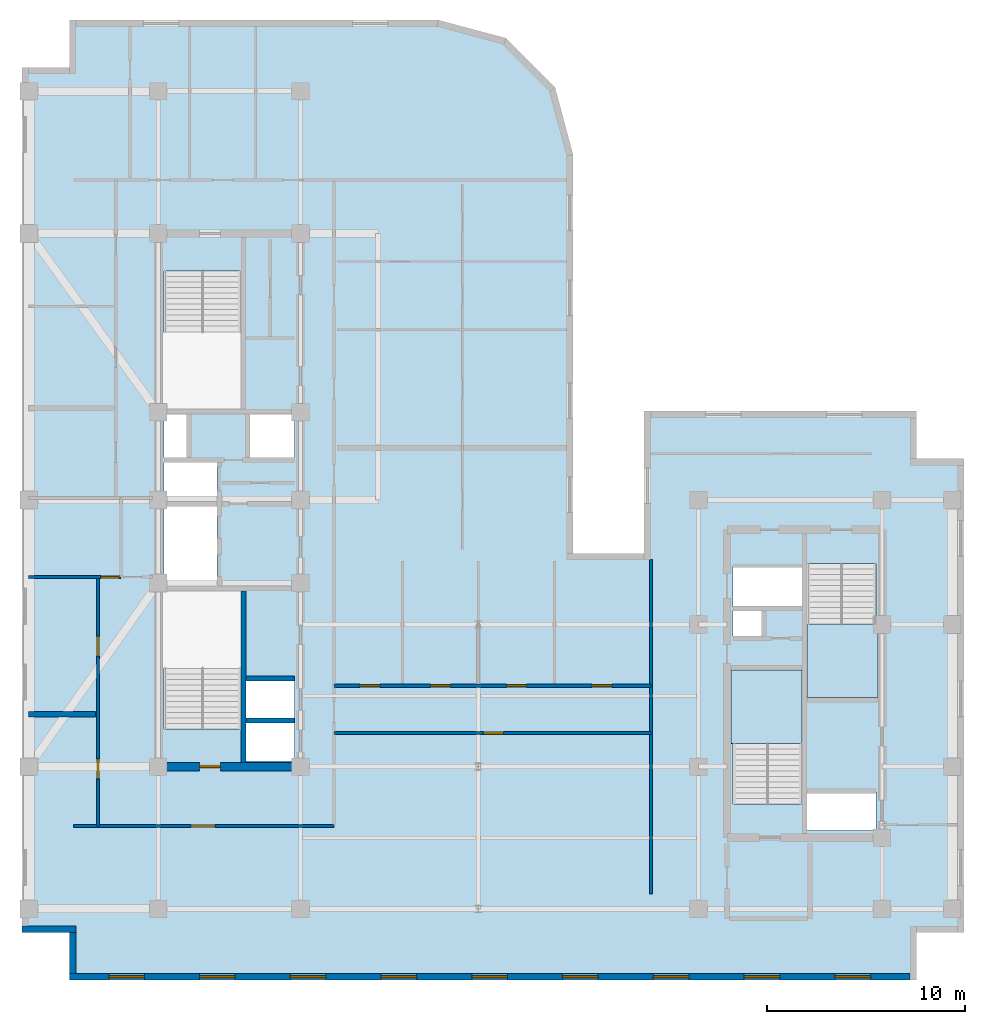
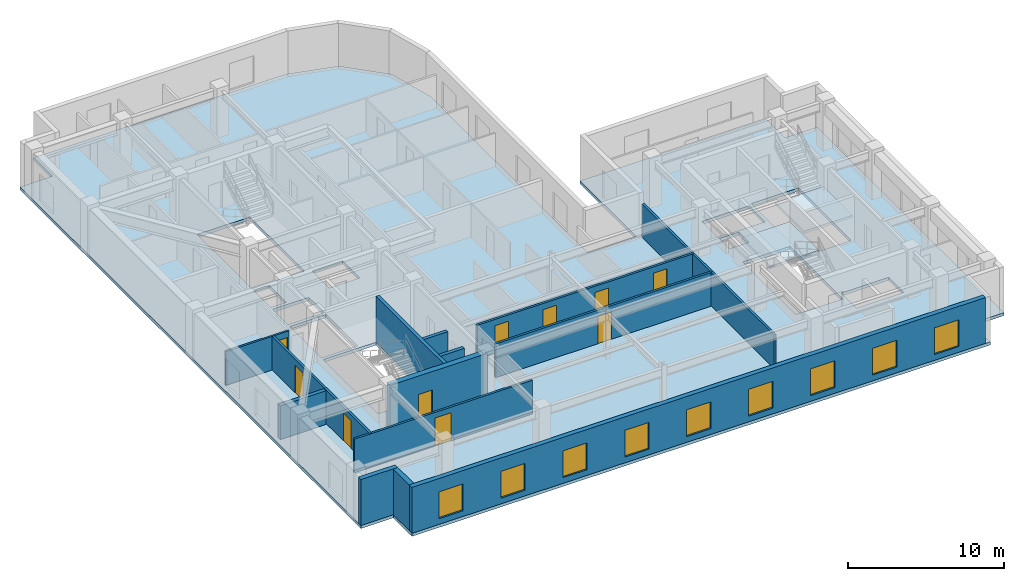
# One storey, part 3 of 10: 14 walls, 10 doors, 9 windows, 3 slabs, 19 openings, 2 elements without a shape of their own.
"""IFC4 building model written with IfcOpenShell, lengths in metres."""

from ifc_helpers import new_model, entity, si_unit, converted_unit, direction, frame, origin_with_axes, origin_2d_with_axis, place, context, subcontext, project, spatial, polyline, rectangle, outline, extrude, material, layer, layer_set, type_object, element, fill, aggregate, save


model = new_model("IFC4")

# Units and contexts
model_context = context("Model", 3, precision=1e-05, world=origin_with_axes(), true_north=direction((0.0, 1.0)))
body_context = subcontext(model_context, "Body", "Model", "MODEL_VIEW")
ifc_project = project(units=[si_unit("LENGTHUNIT", "METRE"), si_unit("AREAUNIT", "SQUARE_METRE"), si_unit("VOLUMEUNIT", "CUBIC_METRE"), converted_unit("PLANEANGLEUNIT", "DEGREE", entity("IfcPlaneAngleMeasure", 0.017453292519943295), si_unit("PLANEANGLEUNIT", "RADIAN"), dimensions=[0, 0, 0, 0, 0, 0, 0]), si_unit("MASSUNIT", "GRAM", prefix="KILO"), si_unit("THERMODYNAMICTEMPERATUREUNIT", "KELVIN")], contexts=[model_context])

# Site, building, storey
site_placement = place(None, origin_with_axes())
site = spatial("IfcSite", under=ifc_project, at=site_placement, CompositionType="ELEMENT")
building_placement = place(site_placement, origin_with_axes())
building = spatial("IfcBuilding", under=site, at=building_placement, Name="Varnlund Millrace Tower", CompositionType="ELEMENT")
storey_placement = place(building_placement, frame((0.0, 0.0, 244.2), z_axis=(0.0, 0.0, 1.0), x_axis=(1.0, 0.0, 0.0)))
storey = spatial("IfcBuildingStorey", under=building, at=storey_placement, Name="L60", CompositionType="ELEMENT", Elevation=244.2)

# Slab
ifc_material_1 = material(Name="Concrete C60/75", Category="concrete")
ifc_layer_1 = layer(ifc_material_1, 0.24, Name="Concrete C60/75")
ifc_layer_set_1 = layer_set([ifc_layer_1], Name="Concrete C60/75")
slab_type_1 = type_object("IfcSlabType", Name="Type-Deck-Plate-Typical-240", PredefinedType="FLOOR", material=ifc_layer_set_1)
slab_1_placement = place(storey_placement, frame((0.0, 0.0, -0.24), z_axis=(0.0, 0.0, 1.0), x_axis=(1.0, 0.0, 0.0)))
element("IfcSlab", 1, at=slab_1_placement, inside=storey, type_object=slab_type_1, Name="Type-Deck-Plate-Typical-240", PredefinedType="FLOOR", context=body_context, shape_type="SweptSolid", body=[
    extrude(outline(polyline([(32.4, 21.6), (32.4, 41.8), (31.489, 45.2), (29.0, 47.689), (25.6, 48.6), (6.9, 48.6), (6.9, 46.2), (4.5, 46.2), (4.5, 2.4), (6.9, 2.4), (6.9, 0.0), (49.8, 0.0), (49.8, 2.4), (52.2, 2.4), (52.2, 26.4), (49.8, 26.4), (49.8, 28.8), (36.0, 28.8), (36.0, 21.6), (32.4, 21.6)]), holes=[polyline([(18.3, 13.1), (18.3, 11.1), (15.84, 11.1), (15.84, 13.1), (18.3, 13.1)]), polyline([(15.6, 12.715), (11.7, 12.715), (11.7, 19.7), (15.6, 19.7), (15.6, 12.715)]), polyline([(11.7, 19.94), (11.7, 23.98), (14.38, 23.98), (14.38, 19.94), (11.7, 19.94)]), polyline([(14.38, 24.24), (11.7, 24.24), (11.7, 26.2), (14.38, 26.2), (14.38, 24.24)]), polyline([(12.84, 26.46), (11.7, 26.46), (11.7, 28.65), (12.84, 28.65), (12.84, 26.46)]), polyline([(15.6, 28.9), (11.7, 28.9), (11.7, 35.885), (15.6, 35.885), (15.6, 28.9)]), polyline([(47.75, 9.52), (47.75, 7.58), (44.25, 7.58), (44.25, 9.52), (47.75, 9.52)]), polyline([(44.0, 8.915), (40.5, 8.915), (40.5, 15.7), (44.0, 15.7), (44.0, 8.915)]), polyline([(18.3, 13.16), (15.84, 13.16), (15.84, 15.24), (18.3, 15.24), (18.3, 13.16)]), polyline([(47.75, 14.3), (44.25, 14.3), (44.25, 21.085), (47.75, 21.085), (47.75, 14.3)]), polyline([(41.95, 17.42), (40.5, 17.42), (40.5, 18.72), (41.95, 18.72), (41.95, 17.42)]), polyline([(44.0, 18.88), (40.5, 18.88), (40.5, 20.94), (44.0, 20.94), (44.0, 18.88)]), polyline([(18.3, 26.46), (16.04, 26.46), (16.04, 28.65), (18.3, 28.65), (18.3, 26.46)])]), origin_with_axes(), (0.0, 0.0, 1.0), 0.24),
])

# Stair, slab
ifc_material_2 = material(Name="Concrete C50/60", Category="concrete")
stair_type = type_object("IfcStairType", Name="Type-Stair-Dogleg-165-390", PredefinedType="HALF_TURN_STAIR", material=ifc_material_2)
stair_1_placement = place(storey_placement, origin_with_axes())
stair_1 = element("IfcStair", 2, at=stair_1_placement, inside=storey, type_object=stair_type, Name="Type-Stair-Dogleg-165-390", PredefinedType="HALF_TURN_STAIR")
ifc_layer_2 = layer(ifc_material_2, 0.2, Name="Concrete C50/60")
ifc_layer_set_2 = layer_set([ifc_layer_2], Name="Concrete C50/60")
slab_type_2 = type_object("IfcSlabType", Name="Type-StairLanding-200", PredefinedType="LANDING", material=ifc_layer_set_2)
slab_2_placement = place(storey_placement, frame((0.0, 0.0, 1.75), z_axis=(0.0, 0.0, 1.0), x_axis=(1.0, 0.0, 0.0)))
slab_2 = element("IfcSlab", 3, at=slab_2_placement, type_object=slab_type_2, Name="ST-B1 landing 1", PredefinedType="LANDING", context=body_context, shape_type="SweptSolid", body=[
    extrude(outline(polyline([(44.0, 11.98), (44.0, 15.7), (40.41, 15.7), (40.41, 11.98), (44.0, 11.98)])), origin_with_axes(), (0.0, 0.0, 1.0), 0.2),
])
aggregate(stair_1, [slab_2])

stair_2_placement = place(storey_placement, origin_with_axes())
stair_2 = element("IfcStair", 4, at=stair_2_placement, inside=storey, type_object=stair_type, Name="Type-Stair-Dogleg-165-390", PredefinedType="HALF_TURN_STAIR")
slab_3_placement = place(storey_placement, frame((0.0, 0.0, 1.75), z_axis=(0.0, 0.0, 1.0), x_axis=(1.0, 0.0, 0.0)))
slab_3 = element("IfcSlab", 5, at=slab_3_placement, type_object=slab_type_2, Name="ST-B2 landing 1", PredefinedType="LANDING", context=body_context, shape_type="SweptSolid", body=[
    extrude(outline(polyline([(44.25, 18.02), (44.25, 14.3), (47.84, 14.3), (47.84, 18.02), (44.25, 18.02)])), origin_with_axes(), (0.0, 0.0, 1.0), 0.2),
])
aggregate(stair_2, [slab_3])

# Wall, opening, door
ifc_layer_3 = layer(ifc_material_1, 0.42, Name="Concrete C60/75")
ifc_layer_set_3 = layer_set([ifc_layer_3], Name="Concrete C60/75")
wall_type_1 = type_object("IfcWallType", Name="Type-CoreWall-Shear-420-C60", PredefinedType="SHEAR", material=ifc_layer_set_3)
wall_1_placement = place(storey_placement, frame((11.4, 10.8, 0.0), z_axis=(0.0, 0.0, 1.0), x_axis=(1.0, 0.0, 0.0)))
wall_1 = element("IfcWall", 6, at=wall_1_placement, inside=storey, type_object=wall_type_1, Name="Type-CoreWall-Shear-420-C60", PredefinedType="SHEAR", context=body_context, shape_type="SweptSolid", body=[
    extrude(outline(polyline([(0.0, -0.21), (7.2, -0.21), (7.2, 0.21), (0.0, 0.21), (0.0, -0.21)])), origin_with_axes(), (0.0, 0.0, 1.0), 3.6),
])
opening_1_placement = place(wall_1_placement, frame((2.625, 0.0, 0.0), z_axis=(0.0, 0.0, 1.0), x_axis=(1.0, 0.0, 0.0)))
opening_1 = element("IfcOpeningElement", 7, at=opening_1_placement, cuts=wall_1, Name="Opening L60:DR-STA1", PredefinedType="OPENING", context=body_context, shape_type="SweptSolid", body=[
    extrude(rectangle(XDim=1.05, YDim=0.44, at=origin_2d_with_axis()), origin_with_axes(), (0.0, 0.0, 1.0), 2.15),
])
ifc_material_3 = material(Name="Fire-rated hollow steel door", Category="steel")
door_type_1 = type_object("IfcDoorType", Name="Type-FireDoor-Stair-1050X2150", OperationType="NOTDEFINED", PredefinedType="DOOR", material=ifc_material_3)
door_1_placement = place(wall_1_placement, frame((2.625, 0.0, 0.0), z_axis=(0.0, 0.0, 1.0), x_axis=(1.0, 0.0, 0.0)))
door_1 = element("IfcDoor", 8, at=door_1_placement, inside=storey, type_object=door_type_1, Name="Type-FireDoor-Stair-1050X2150", OperationType="SINGLE_SWING_LEFT", OverallHeight=2.15, OverallWidth=1.05, PredefinedType="DOOR", context=body_context, shape_type="SweptSolid", body=[
    extrude(rectangle(XDim=1.05, YDim=0.09, at=origin_2d_with_axis()), origin_with_axes(), (0.0, 0.0, 1.0), 2.15),
])
fill(opening_1, door_1)

# Wall, openings, windows
ifc_material_4 = material(Name="Precast concrete C50/60", Category="concrete")
ifc_layer_4 = layer(ifc_material_4, 0.34, Name="Precast concrete C50/60")
ifc_layer_set_4 = layer_set([ifc_layer_4], Name="Precast concrete C50/60")
wall_type_2 = type_object("IfcWallType", Name="Type-ExtWall-Precast-Upper-340", PredefinedType="SOLIDWALL", material=ifc_layer_set_4)
wall_2_placement = place(storey_placement, frame((49.46, 0.17, 0.0), z_axis=(0.0, 0.0, 1.0), x_axis=(-1.0, 0.0, 0.0)))
wall_2 = element("IfcWall", 9, at=wall_2_placement, inside=storey, type_object=wall_type_2, Name="Type-ExtWall-Precast-Upper-340", PredefinedType="SOLIDWALL", context=body_context, shape_type="SweptSolid", body=[
    extrude(outline(polyline([(0.0, -0.17), (42.56, -0.17), (42.56, 0.17), (0.0, 0.17), (0.0, -0.17)])), origin_with_axes(), (0.0, 0.0, 1.0), 3.6),
])
opening_2_placement = place(wall_2_placement, frame((2.898, 0.0, 0.45), z_axis=(0.0, 0.0, 1.0), x_axis=(1.0, 0.0, 0.0)))
opening_2 = element("IfcOpeningElement", 10, at=opening_2_placement, cuts=wall_2, Name="Opening L60:WN-07", PredefinedType="OPENING", context=body_context, shape_type="SweptSolid", body=[
    extrude(rectangle(XDim=1.8, YDim=0.36, at=origin_2d_with_axis()), origin_with_axes(), (0.0, 0.0, 1.0), 2.1),
])
opening_3_placement = place(wall_2_placement, frame((7.493, 0.0, 0.45), z_axis=(0.0, 0.0, 1.0), x_axis=(1.0, 0.0, 0.0)))
opening_3 = element("IfcOpeningElement", 11, at=opening_3_placement, cuts=wall_2, Name="Opening L60:WN-08", PredefinedType="OPENING", context=body_context, shape_type="SweptSolid", body=[
    extrude(rectangle(XDim=1.8, YDim=0.36, at=origin_2d_with_axis()), origin_with_axes(), (0.0, 0.0, 1.0), 2.1),
])
opening_4_placement = place(wall_2_placement, frame((12.089, 0.0, 0.45), z_axis=(0.0, 0.0, 1.0), x_axis=(1.0, 0.0, 0.0)))
opening_4 = element("IfcOpeningElement", 12, at=opening_4_placement, cuts=wall_2, Name="Opening L60:WN-09", PredefinedType="OPENING", context=body_context, shape_type="SweptSolid", body=[
    extrude(rectangle(XDim=1.8, YDim=0.36, at=origin_2d_with_axis()), origin_with_axes(), (0.0, 0.0, 1.0), 2.1),
])
opening_5_placement = place(wall_2_placement, frame((16.684, 0.0, 0.45), z_axis=(0.0, 0.0, 1.0), x_axis=(1.0, 0.0, 0.0)))
opening_5 = element("IfcOpeningElement", 13, at=opening_5_placement, cuts=wall_2, Name="Opening L60:WN-10", PredefinedType="OPENING", context=body_context, shape_type="SweptSolid", body=[
    extrude(rectangle(XDim=1.8, YDim=0.36, at=origin_2d_with_axis()), origin_with_axes(), (0.0, 0.0, 1.0), 2.1),
])
opening_6_placement = place(wall_2_placement, frame((21.28, 0.0, 0.45), z_axis=(0.0, 0.0, 1.0), x_axis=(1.0, 0.0, 0.0)))
opening_6 = element("IfcOpeningElement", 14, at=opening_6_placement, cuts=wall_2, Name="Opening L60:WN-11", PredefinedType="OPENING", context=body_context, shape_type="SweptSolid", body=[
    extrude(rectangle(XDim=1.8, YDim=0.36, at=origin_2d_with_axis()), origin_with_axes(), (0.0, 0.0, 1.0), 2.1),
])
opening_7_placement = place(wall_2_placement, frame((25.876, 0.0, 0.45), z_axis=(0.0, 0.0, 1.0), x_axis=(1.0, 0.0, 0.0)))
opening_7 = element("IfcOpeningElement", 15, at=opening_7_placement, cuts=wall_2, Name="Opening L60:WN-12", PredefinedType="OPENING", context=body_context, shape_type="SweptSolid", body=[
    extrude(rectangle(XDim=1.8, YDim=0.36, at=origin_2d_with_axis()), origin_with_axes(), (0.0, 0.0, 1.0), 2.1),
])
opening_8_placement = place(wall_2_placement, frame((30.471, 0.0, 0.45), z_axis=(0.0, 0.0, 1.0), x_axis=(1.0, 0.0, 0.0)))
opening_8 = element("IfcOpeningElement", 16, at=opening_8_placement, cuts=wall_2, Name="Opening L60:WN-13", PredefinedType="OPENING", context=body_context, shape_type="SweptSolid", body=[
    extrude(rectangle(XDim=1.8, YDim=0.36, at=origin_2d_with_axis()), origin_with_axes(), (0.0, 0.0, 1.0), 2.1),
])
opening_9_placement = place(wall_2_placement, frame((35.067, 0.0, 0.45), z_axis=(0.0, 0.0, 1.0), x_axis=(1.0, 0.0, 0.0)))
opening_9 = element("IfcOpeningElement", 17, at=opening_9_placement, cuts=wall_2, Name="Opening L60:WN-14", PredefinedType="OPENING", context=body_context, shape_type="SweptSolid", body=[
    extrude(rectangle(XDim=1.8, YDim=0.36, at=origin_2d_with_axis()), origin_with_axes(), (0.0, 0.0, 1.0), 2.1),
])
opening_10_placement = place(wall_2_placement, frame((39.662, 0.0, 0.45), z_axis=(0.0, 0.0, 1.0), x_axis=(1.0, 0.0, 0.0)))
opening_10 = element("IfcOpeningElement", 18, at=opening_10_placement, cuts=wall_2, Name="Opening L60:WN-15", PredefinedType="OPENING", context=body_context, shape_type="SweptSolid", body=[
    extrude(rectangle(XDim=1.8, YDim=0.36, at=origin_2d_with_axis()), origin_with_axes(), (0.0, 0.0, 1.0), 2.1),
])
ifc_material_5 = material(Name="Argon low-e triple glazing in thermally broken bronze frame", Category="glass")
window_type = type_object("IfcWindowType", Name="Type-Window-Punched-1800X2100", PartitioningType="SINGLE_PANEL", PredefinedType="WINDOW", material=ifc_material_5)
window_1_placement = place(wall_2_placement, frame((2.898, 0.0, 0.45), z_axis=(0.0, 0.0, 1.0), x_axis=(1.0, 0.0, 0.0)))
window_1 = element("IfcWindow", 19, at=window_1_placement, inside=storey, type_object=window_type, Name="Type-Window-Punched-1800X2100", OverallHeight=2.1, OverallWidth=1.8, PredefinedType="WINDOW", context=body_context, shape_type="SweptSolid", body=[
    extrude(rectangle(XDim=1.8, YDim=0.09, at=origin_2d_with_axis()), origin_with_axes(), (0.0, 0.0, 1.0), 2.1),
])
fill(opening_2, window_1)
window_2_placement = place(wall_2_placement, frame((7.493, 0.0, 0.45), z_axis=(0.0, 0.0, 1.0), x_axis=(1.0, 0.0, 0.0)))
window_2 = element("IfcWindow", 20, at=window_2_placement, inside=storey, type_object=window_type, Name="Type-Window-Punched-1800X2100", OverallHeight=2.1, OverallWidth=1.8, PredefinedType="WINDOW", context=body_context, shape_type="SweptSolid", body=[
    extrude(rectangle(XDim=1.8, YDim=0.09, at=origin_2d_with_axis()), origin_with_axes(), (0.0, 0.0, 1.0), 2.1),
])
fill(opening_3, window_2)
window_3_placement = place(wall_2_placement, frame((12.089, 0.0, 0.45), z_axis=(0.0, 0.0, 1.0), x_axis=(1.0, 0.0, 0.0)))
window_3 = element("IfcWindow", 21, at=window_3_placement, inside=storey, type_object=window_type, Name="Type-Window-Punched-1800X2100", OverallHeight=2.1, OverallWidth=1.8, PredefinedType="WINDOW", context=body_context, shape_type="SweptSolid", body=[
    extrude(rectangle(XDim=1.8, YDim=0.09, at=origin_2d_with_axis()), origin_with_axes(), (0.0, 0.0, 1.0), 2.1),
])
fill(opening_4, window_3)
window_4_placement = place(wall_2_placement, frame((16.684, 0.0, 0.45), z_axis=(0.0, 0.0, 1.0), x_axis=(1.0, 0.0, 0.0)))
window_4 = element("IfcWindow", 22, at=window_4_placement, inside=storey, type_object=window_type, Name="Type-Window-Punched-1800X2100", OverallHeight=2.1, OverallWidth=1.8, PredefinedType="WINDOW", context=body_context, shape_type="SweptSolid", body=[
    extrude(rectangle(XDim=1.8, YDim=0.09, at=origin_2d_with_axis()), origin_with_axes(), (0.0, 0.0, 1.0), 2.1),
])
fill(opening_5, window_4)
window_5_placement = place(wall_2_placement, frame((21.28, 0.0, 0.45), z_axis=(0.0, 0.0, 1.0), x_axis=(1.0, 0.0, 0.0)))
window_5 = element("IfcWindow", 23, at=window_5_placement, inside=storey, type_object=window_type, Name="Type-Window-Punched-1800X2100", OverallHeight=2.1, OverallWidth=1.8, PredefinedType="WINDOW", context=body_context, shape_type="SweptSolid", body=[
    extrude(rectangle(XDim=1.8, YDim=0.09, at=origin_2d_with_axis()), origin_with_axes(), (0.0, 0.0, 1.0), 2.1),
])
fill(opening_6, window_5)
window_6_placement = place(wall_2_placement, frame((25.876, 0.0, 0.45), z_axis=(0.0, 0.0, 1.0), x_axis=(1.0, 0.0, 0.0)))
window_6 = element("IfcWindow", 24, at=window_6_placement, inside=storey, type_object=window_type, Name="Type-Window-Punched-1800X2100", OverallHeight=2.1, OverallWidth=1.8, PredefinedType="WINDOW", context=body_context, shape_type="SweptSolid", body=[
    extrude(rectangle(XDim=1.8, YDim=0.09, at=origin_2d_with_axis()), origin_with_axes(), (0.0, 0.0, 1.0), 2.1),
])
fill(opening_7, window_6)
window_7_placement = place(wall_2_placement, frame((30.471, 0.0, 0.45), z_axis=(0.0, 0.0, 1.0), x_axis=(1.0, 0.0, 0.0)))
window_7 = element("IfcWindow", 25, at=window_7_placement, inside=storey, type_object=window_type, Name="Type-Window-Punched-1800X2100", OverallHeight=2.1, OverallWidth=1.8, PredefinedType="WINDOW", context=body_context, shape_type="SweptSolid", body=[
    extrude(rectangle(XDim=1.8, YDim=0.09, at=origin_2d_with_axis()), origin_with_axes(), (0.0, 0.0, 1.0), 2.1),
])
fill(opening_8, window_7)
window_8_placement = place(wall_2_placement, frame((35.067, 0.0, 0.45), z_axis=(0.0, 0.0, 1.0), x_axis=(1.0, 0.0, 0.0)))
window_8 = element("IfcWindow", 26, at=window_8_placement, inside=storey, type_object=window_type, Name="Type-Window-Punched-1800X2100", OverallHeight=2.1, OverallWidth=1.8, PredefinedType="WINDOW", context=body_context, shape_type="SweptSolid", body=[
    extrude(rectangle(XDim=1.8, YDim=0.09, at=origin_2d_with_axis()), origin_with_axes(), (0.0, 0.0, 1.0), 2.1),
])
fill(opening_9, window_8)
window_9_placement = place(wall_2_placement, frame((39.662, 0.0, 0.45), z_axis=(0.0, 0.0, 1.0), x_axis=(1.0, 0.0, 0.0)))
window_9 = element("IfcWindow", 27, at=window_9_placement, inside=storey, type_object=window_type, Name="Type-Window-Punched-1800X2100", OverallHeight=2.1, OverallWidth=1.8, PredefinedType="WINDOW", context=body_context, shape_type="SweptSolid", body=[
    extrude(rectangle(XDim=1.8, YDim=0.09, at=origin_2d_with_axis()), origin_with_axes(), (0.0, 0.0, 1.0), 2.1),
])
fill(opening_10, window_9)

# Walls
wall_3_placement = place(storey_placement, frame((7.07, 0.34, 0.0), z_axis=(0.0, 0.0, 1.0), x_axis=(0.0, 1.0, 0.0)))
element("IfcWall", 28, at=wall_3_placement, inside=storey, type_object=wall_type_2, Name="Type-ExtWall-Precast-Upper-340", PredefinedType="SOLIDWALL", context=body_context, shape_type="SweptSolid", body=[
    extrude(outline(polyline([(0.0, -0.17), (2.06, -0.17), (2.06, 0.17), (0.0, 0.17), (0.0, -0.17)])), origin_with_axes(), (0.0, 0.0, 1.0), 3.6),
])
wall_4_placement = place(storey_placement, frame((7.24, 2.57, 0.0), z_axis=(0.0, 0.0, 1.0), x_axis=(-1.0, 0.0, 0.0)))
element("IfcWall", 29, at=wall_4_placement, inside=storey, type_object=wall_type_2, Name="Type-ExtWall-Precast-Upper-340", PredefinedType="SOLIDWALL", context=body_context, shape_type="SweptSolid", body=[
    extrude(outline(polyline([(0.0, -0.17), (2.74, -0.17), (2.74, 0.17), (0.0, 0.17), (0.0, -0.17)])), origin_with_axes(), (0.0, 0.0, 1.0), 3.6),
])
ifc_material_6 = material(Name="Double-stud STC-60 conference acoustic partition", Category="gypsum")
ifc_layer_5 = layer(ifc_material_6, 0.28, Name="Double-stud STC-60 conference acoustic partition")
ifc_layer_set_5 = layer_set([ifc_layer_5], Name="Double-stud STC-60 conference acoustic partition")
wall_type_3 = type_object("IfcWallType", Name="Type-Partition-Acoustic-280", PredefinedType="PARTITIONING", material=ifc_layer_set_5)
wall_5_placement = place(storey_placement, frame((4.835, 13.465, 0.0), z_axis=(0.0, 0.0, 1.0), x_axis=(1.0, 0.0, 0.0)))
element("IfcWall", 30, at=wall_5_placement, inside=storey, type_object=wall_type_3, Name="Type-Partition-Acoustic-280", PredefinedType="PARTITIONING", context=body_context, shape_type="SweptSolid", body=[
    extrude(outline(polyline([(0.0, -0.14), (3.395, -0.14), (3.395, 0.14), (0.0, 0.14), (0.0, -0.14)])), origin_with_axes(), (0.0, 0.0, 1.0), 2.64),
])

# Wall, opening, door
ifc_material_7 = material(Name="Fire-rated gypsum board on cold-formed steel framing", Category="steel")
ifc_layer_6 = layer(ifc_material_7, 0.16, Name="Fire-rated gypsum board on cold-formed steel framing")
ifc_layer_set_6 = layer_set([ifc_layer_6], Name="Fire-rated gypsum board on cold-formed steel framing")
wall_type_4 = type_object("IfcWallType", Name="Type-Partition-Corridor-160", PredefinedType="PARTITIONING", material=ifc_layer_set_6)
wall_6_placement = place(storey_placement, frame((7.1, 7.8, 0.0), z_axis=(0.0, 0.0, 1.0), x_axis=(1.0, 0.0, 0.0)))
wall_6 = element("IfcWall", 31, at=wall_6_placement, inside=storey, type_object=wall_type_4, Name="Type-Partition-Corridor-160", PredefinedType="PARTITIONING", context=body_context, shape_type="SweptSolid", body=[
    extrude(outline(polyline([(0.0, -0.08), (13.2, -0.08), (13.2, 0.08), (0.0, 0.08), (0.0, -0.08)])), origin_with_axes(), (0.0, 0.0, 1.0), 2.64),
])
opening_11_placement = place(wall_6_placement, frame((6.57, 0.0, 0.0), z_axis=(0.0, 0.0, 1.0), x_axis=(1.0, 0.0, 0.0)))
opening_11 = element("IfcOpeningElement", 32, at=opening_11_placement, cuts=wall_6, Name="Opening L60:DR-WAS-01", PredefinedType="OPENING", context=body_context, shape_type="SweptSolid", body=[
    extrude(rectangle(XDim=1.2, YDim=0.18, at=origin_2d_with_axis()), origin_with_axes(), (0.0, 0.0, 1.0), 2.2),
])
ifc_material_8 = material(Name="Wide executive white oak acoustic door")
door_type_2 = type_object("IfcDoorType", Name="Type-IntDoor-Exec-1200X2200", OperationType="NOTDEFINED", PredefinedType="DOOR", material=ifc_material_8)
door_2_placement = place(wall_6_placement, frame((6.57, 0.0, 0.0), z_axis=(0.0, 0.0, 1.0), x_axis=(1.0, 0.0, 0.0)))
door_2 = element("IfcDoor", 33, at=door_2_placement, inside=storey, type_object=door_type_2, Name="Type-IntDoor-Exec-1200X2200", OperationType="SINGLE_SWING_LEFT", OverallHeight=2.2, OverallWidth=1.2, PredefinedType="DOOR", context=body_context, shape_type="SweptSolid", body=[
    extrude(rectangle(XDim=1.2, YDim=0.09, at=origin_2d_with_axis()), origin_with_axes(), (0.0, 0.0, 1.0), 2.2),
])
fill(opening_11, door_2)

# Wall, openings, doors
wall_7_placement = place(storey_placement, frame((8.35, 7.8, 0.0), z_axis=(0.0, 0.0, 1.0), x_axis=(0.0, 1.0, 0.0)))
wall_7 = element("IfcWall", 34, at=wall_7_placement, inside=storey, type_object=wall_type_4, Name="Type-Partition-Corridor-160", PredefinedType="PARTITIONING", context=body_context, shape_type="SweptSolid", body=[
    extrude(outline(polyline([(0.0, -0.08), (12.6, -0.08), (12.6, 0.08), (0.0, 0.08), (0.0, -0.08)])), origin_with_axes(), (0.0, 0.0, 1.0), 2.64),
])
opening_12_placement = place(wall_7_placement, frame((2.8975, 0.0, 0.0), z_axis=(0.0, 0.0, 1.0), x_axis=(1.0, 0.0, 0.0)))
opening_12 = element("IfcOpeningElement", 35, at=opening_12_placement, cuts=wall_7, Name="Opening L60:DR-WS-01", PredefinedType="OPENING", context=body_context, shape_type="SweptSolid", body=[
    extrude(rectangle(XDim=1.0, YDim=0.18, at=origin_2d_with_axis()), origin_with_axes(), (0.0, 0.0, 1.0), 2.15),
])
opening_13_placement = place(wall_7_placement, frame((9.0925, 0.0, 0.0), z_axis=(0.0, 0.0, 1.0), x_axis=(1.0, 0.0, 0.0)))
opening_13 = element("IfcOpeningElement", 36, at=opening_13_placement, cuts=wall_7, Name="Opening L60:DR-WS-02", PredefinedType="OPENING", context=body_context, shape_type="SweptSolid", body=[
    extrude(rectangle(XDim=1.0, YDim=0.18, at=origin_2d_with_axis()), origin_with_axes(), (0.0, 0.0, 1.0), 2.15),
])
ifc_material_9 = material(Name="Solid-core white oak and bronze frame door")
door_type_3 = type_object("IfcDoorType", Name="Type-IntDoor-Office-1000X2150", OperationType="NOTDEFINED", PredefinedType="DOOR", material=ifc_material_9)
door_3_placement = place(wall_7_placement, frame((2.8975, 0.0, 0.0), z_axis=(0.0, 0.0, 1.0), x_axis=(1.0, 0.0, 0.0)))
door_3 = element("IfcDoor", 37, at=door_3_placement, inside=storey, type_object=door_type_3, Name="Type-IntDoor-Office-1000X2150", OperationType="SINGLE_SWING_LEFT", OverallHeight=2.15, OverallWidth=1.0, PredefinedType="DOOR", context=body_context, shape_type="SweptSolid", body=[
    extrude(rectangle(XDim=1.0, YDim=0.09, at=origin_2d_with_axis()), origin_with_axes(), (0.0, 0.0, 1.0), 2.15),
])
fill(opening_12, door_3)
door_4_placement = place(wall_7_placement, frame((9.0925, 0.0, 0.0), z_axis=(0.0, 0.0, 1.0), x_axis=(1.0, 0.0, 0.0)))
door_4 = element("IfcDoor", 38, at=door_4_placement, inside=storey, type_object=door_type_3, Name="Type-IntDoor-Office-1000X2150", OperationType="SINGLE_SWING_RIGHT", OverallHeight=2.15, OverallWidth=1.0, PredefinedType="DOOR", context=body_context, shape_type="SweptSolid", body=[
    extrude(rectangle(XDim=1.0, YDim=0.09, at=origin_2d_with_axis()), origin_with_axes(), (0.0, 0.0, 1.0), 2.15),
])
fill(opening_13, door_4)

# Wall, opening, door
wall_8_placement = place(storey_placement, frame((20.3, 12.5, 0.0), z_axis=(0.0, 0.0, 1.0), x_axis=(1.0, 0.0, 0.0)))
wall_8 = element("IfcWall", 39, at=wall_8_placement, inside=storey, type_object=wall_type_4, Name="Type-Partition-Corridor-160", PredefinedType="PARTITIONING", context=body_context, shape_type="SweptSolid", body=[
    extrude(outline(polyline([(0.0, -0.08), (16.05, -0.08), (16.05, 0.08), (0.0, 0.08), (0.0, -0.08)])), origin_with_axes(), (0.0, 0.0, 1.0), 2.64),
])
opening_14_placement = place(wall_8_placement, frame((8.075, 0.0, 0.0), z_axis=(0.0, 0.0, 1.0), x_axis=(1.0, 0.0, 0.0)))
opening_14 = element("IfcOpeningElement", 40, at=opening_14_placement, cuts=wall_8, Name="Opening L60:DR-KNS-01", PredefinedType="OPENING", context=body_context, shape_type="SweptSolid", body=[
    extrude(rectangle(XDim=1.0, YDim=0.18, at=origin_2d_with_axis()), origin_with_axes(), (0.0, 0.0, 1.0), 2.15),
])
door_5_placement = place(wall_8_placement, frame((8.075, 0.0, 0.0), z_axis=(0.0, 0.0, 1.0), x_axis=(1.0, 0.0, 0.0)))
door_5 = element("IfcDoor", 41, at=door_5_placement, inside=storey, type_object=door_type_3, Name="Type-IntDoor-Office-1000X2150", OperationType="SINGLE_SWING_LEFT", OverallHeight=2.15, OverallWidth=1.0, PredefinedType="DOOR", context=body_context, shape_type="SweptSolid", body=[
    extrude(rectangle(XDim=1.0, YDim=0.09, at=origin_2d_with_axis()), origin_with_axes(), (0.0, 0.0, 1.0), 2.15),
])
fill(opening_14, door_5)

# Wall, openings, doors
wall_9_placement = place(storey_placement, frame((20.3, 14.9, 0.0), z_axis=(0.0, 0.0, 1.0), x_axis=(1.0, 0.0, 0.0)))
wall_9 = element("IfcWall", 42, at=wall_9_placement, inside=storey, type_object=wall_type_4, Name="Type-Partition-Corridor-160", PredefinedType="PARTITIONING", context=body_context, shape_type="SweptSolid", body=[
    extrude(outline(polyline([(0.0, -0.08), (16.05, -0.08), (16.05, 0.08), (0.0, 0.08), (0.0, -0.08)])), origin_with_axes(), (0.0, 0.0, 1.0), 2.64),
])
opening_15_placement = place(wall_9_placement, frame((1.8265, 0.0, 0.0), z_axis=(0.0, 0.0, 1.0), x_axis=(1.0, 0.0, 0.0)))
opening_15 = element("IfcOpeningElement", 43, at=opening_15_placement, cuts=wall_9, Name="Opening L60:DR-KN-01", PredefinedType="OPENING", context=body_context, shape_type="SweptSolid", body=[
    extrude(rectangle(XDim=1.0, YDim=0.18, at=origin_2d_with_axis()), origin_with_axes(), (0.0, 0.0, 1.0), 2.15),
])
opening_16_placement = place(wall_9_placement, frame((5.3865, 0.0, 0.0), z_axis=(0.0, 0.0, 1.0), x_axis=(1.0, 0.0, 0.0)))
opening_16 = element("IfcOpeningElement", 44, at=opening_16_placement, cuts=wall_9, Name="Opening L60:DR-KN-02", PredefinedType="OPENING", context=body_context, shape_type="SweptSolid", body=[
    extrude(rectangle(XDim=1.0, YDim=0.18, at=origin_2d_with_axis()), origin_with_axes(), (0.0, 0.0, 1.0), 2.15),
])
opening_17_placement = place(wall_9_placement, frame((9.2365, 0.0, 0.0), z_axis=(0.0, 0.0, 1.0), x_axis=(1.0, 0.0, 0.0)))
opening_17 = element("IfcOpeningElement", 45, at=opening_17_placement, cuts=wall_9, Name="Opening L60:DR-KN-03", PredefinedType="OPENING", context=body_context, shape_type="SweptSolid", body=[
    extrude(rectangle(XDim=1.0, YDim=0.18, at=origin_2d_with_axis()), origin_with_axes(), (0.0, 0.0, 1.0), 2.15),
])
opening_18_placement = place(wall_9_placement, frame((13.5715, 0.0, 0.0), z_axis=(0.0, 0.0, 1.0), x_axis=(1.0, 0.0, 0.0)))
opening_18 = element("IfcOpeningElement", 46, at=opening_18_placement, cuts=wall_9, Name="Opening L60:DR-KN-04", PredefinedType="OPENING", context=body_context, shape_type="SweptSolid", body=[
    extrude(rectangle(XDim=1.0, YDim=0.18, at=origin_2d_with_axis()), origin_with_axes(), (0.0, 0.0, 1.0), 2.15),
])
door_6_placement = place(wall_9_placement, frame((1.8265, 0.0, 0.0), z_axis=(0.0, 0.0, 1.0), x_axis=(1.0, 0.0, 0.0)))
door_6 = element("IfcDoor", 47, at=door_6_placement, inside=storey, type_object=door_type_3, Name="Type-IntDoor-Office-1000X2150", OperationType="SINGLE_SWING_LEFT", OverallHeight=2.15, OverallWidth=1.0, PredefinedType="DOOR", context=body_context, shape_type="SweptSolid", body=[
    extrude(rectangle(XDim=1.0, YDim=0.09, at=origin_2d_with_axis()), origin_with_axes(), (0.0, 0.0, 1.0), 2.15),
])
fill(opening_15, door_6)
door_7_placement = place(wall_9_placement, frame((5.3865, 0.0, 0.0), z_axis=(0.0, 0.0, 1.0), x_axis=(1.0, 0.0, 0.0)))
door_7 = element("IfcDoor", 48, at=door_7_placement, inside=storey, type_object=door_type_3, Name="Type-IntDoor-Office-1000X2150", OperationType="SINGLE_SWING_RIGHT", OverallHeight=2.15, OverallWidth=1.0, PredefinedType="DOOR", context=body_context, shape_type="SweptSolid", body=[
    extrude(rectangle(XDim=1.0, YDim=0.09, at=origin_2d_with_axis()), origin_with_axes(), (0.0, 0.0, 1.0), 2.15),
])
fill(opening_16, door_7)
door_8_placement = place(wall_9_placement, frame((9.2365, 0.0, 0.0), z_axis=(0.0, 0.0, 1.0), x_axis=(1.0, 0.0, 0.0)))
door_8 = element("IfcDoor", 49, at=door_8_placement, inside=storey, type_object=door_type_3, Name="Type-IntDoor-Office-1000X2150", OperationType="SINGLE_SWING_LEFT", OverallHeight=2.15, OverallWidth=1.0, PredefinedType="DOOR", context=body_context, shape_type="SweptSolid", body=[
    extrude(rectangle(XDim=1.0, YDim=0.09, at=origin_2d_with_axis()), origin_with_axes(), (0.0, 0.0, 1.0), 2.15),
])
fill(opening_17, door_8)
door_9_placement = place(wall_9_placement, frame((13.5715, 0.0, 0.0), z_axis=(0.0, 0.0, 1.0), x_axis=(1.0, 0.0, 0.0)))
door_9 = element("IfcDoor", 50, at=door_9_placement, inside=storey, type_object=door_type_3, Name="Type-IntDoor-Office-1000X2150", OperationType="SINGLE_SWING_RIGHT", OverallHeight=2.15, OverallWidth=1.0, PredefinedType="DOOR", context=body_context, shape_type="SweptSolid", body=[
    extrude(rectangle(XDim=1.0, YDim=0.09, at=origin_2d_with_axis()), origin_with_axes(), (0.0, 0.0, 1.0), 2.15),
])
fill(opening_18, door_9)

# Wall
wall_10_placement = place(storey_placement, frame((36.35, 4.35, 0.0), z_axis=(0.0, 0.0, 1.0), x_axis=(0.0, 1.0, 0.0)))
element("IfcWall", 51, at=wall_10_placement, inside=storey, type_object=wall_type_4, Name="Type-Partition-Corridor-160", PredefinedType="PARTITIONING", context=body_context, shape_type="SweptSolid", body=[
    extrude(outline(polyline([(0.0, -0.08), (16.95, -0.08), (16.95, 0.08), (0.0, 0.08), (0.0, -0.08)])), origin_with_axes(), (0.0, 0.0, 1.0), 2.64),
])

# Wall, opening, door
ifc_material_10 = material(Name="Moisture-resistant gypsum restroom partition", Category="gypsum")
ifc_layer_7 = layer(ifc_material_10, 0.14, Name="Moisture-resistant gypsum restroom partition")
ifc_layer_set_7 = layer_set([ifc_layer_7], Name="Moisture-resistant gypsum restroom partition")
wall_type_5 = type_object("IfcWallType", Name="Type-Partition-Wet-140", PredefinedType="PARTITIONING", material=ifc_layer_set_7)
wall_11_placement = place(storey_placement, frame((4.835, 20.4, 0.0), z_axis=(0.0, 0.0, 1.0), x_axis=(1.0, 0.0, 0.0)))
wall_11 = element("IfcWall", 52, at=wall_11_placement, inside=storey, type_object=wall_type_5, Name="Type-Partition-Wet-140", PredefinedType="PARTITIONING", context=body_context, shape_type="SweptSolid", body=[
    extrude(outline(polyline([(0.0, -0.07), (4.685, -0.07), (4.685, 0.07), (0.0, 0.07), (0.0, -0.07)])), origin_with_axes(), (0.0, 0.0, 1.0), 2.64),
])
opening_19_placement = place(wall_11_placement, frame((4.115, 0.0, 0.0), z_axis=(0.0, 0.0, 1.0), x_axis=(1.0, 0.0, 0.0)))
opening_19 = element("IfcOpeningElement", 53, at=opening_19_placement, cuts=wall_11, Name="Opening L60:DR-W-MIDR", PredefinedType="OPENING", context=body_context, shape_type="SweptSolid", body=[
    extrude(rectangle(XDim=0.9, YDim=0.16, at=origin_2d_with_axis()), origin_with_axes(), (0.0, 0.0, 1.0), 2.15),
])
ifc_material_11 = material(Name="Painted steel riser and closet door", Category="steel")
door_type_4 = type_object("IfcDoorType", Name="Type-IntDoor-Closet-900X2150", OperationType="NOTDEFINED", PredefinedType="DOOR", material=ifc_material_11)
door_10_placement = place(wall_11_placement, frame((4.115, 0.0, 0.0), z_axis=(0.0, 0.0, 1.0), x_axis=(1.0, 0.0, 0.0)))
door_10 = element("IfcDoor", 54, at=door_10_placement, inside=storey, type_object=door_type_4, Name="Type-IntDoor-Closet-900X2150", OperationType="SINGLE_SWING_LEFT", OverallHeight=2.15, OverallWidth=0.9, PredefinedType="DOOR", context=body_context, shape_type="SweptSolid", body=[
    extrude(rectangle(XDim=0.9, YDim=0.084, at=origin_2d_with_axis()), origin_with_axes(), (0.0, 0.0, 1.0), 2.15),
])
fill(opening_19, door_10)

# Walls
ifc_layer_8 = layer(ifc_material_1, 0.25, Name="Concrete C60/75")
ifc_layer_set_8 = layer_set([ifc_layer_8], Name="Concrete C60/75")
wall_type_6 = type_object("IfcWallType", Name="Type-ShaftWall-Fire-250", PredefinedType="SOLIDWALL", material=ifc_layer_set_8)
for number, where, z_axis, x_axis, name in (
    (55, (15.84, 13.13, 0.0), (0.0, 0.0, 1.0), (1.0, 0.0, 0.0), "Type-ShaftWall-Fire-250"),
    (56, (15.84, 15.27, 0.0), (0.0, 0.0, 1.0), (1.0, 0.0, 0.0), "Type-ShaftWall-Fire-250"),
):
    element("IfcWall", number, at=place(storey_placement, frame(where, z_axis=z_axis, x_axis=x_axis)), inside=storey, type_object=wall_type_6, Name=name, PredefinedType="SOLIDWALL", context=body_context, shape_type="SweptSolid", body=[
        extrude(outline(polyline([(0.0, -0.125), (2.46, -0.125), (2.46, 0.125), (0.0, 0.125), (0.0, -0.125)])), origin_with_axes(), (0.0, 0.0, 1.0), 2.64),
    ])
wall_type_7 = type_object("IfcWallType", Name="Type-StairWall-Shear-250", PredefinedType="SHEAR", material=ifc_layer_set_8)
wall_12_placement = place(storey_placement, frame((15.725, 11.01, 0.0), z_axis=(0.0, 0.0, 1.0), x_axis=(0.0, 1.0, 0.0)))
element("IfcWall", 57, at=wall_12_placement, inside=storey, type_object=wall_type_7, Name="Type-StairWall-Shear-250", PredefinedType="SHEAR", context=body_context, shape_type="SweptSolid", body=[
    extrude(outline(polyline([(0.0, -0.125), (8.69, -0.125), (8.69, 0.125), (0.0, 0.125), (0.0, -0.125)])), origin_with_axes(), (0.0, 0.0, 1.0), 3.6),
])

save(model, "model.ifc")
